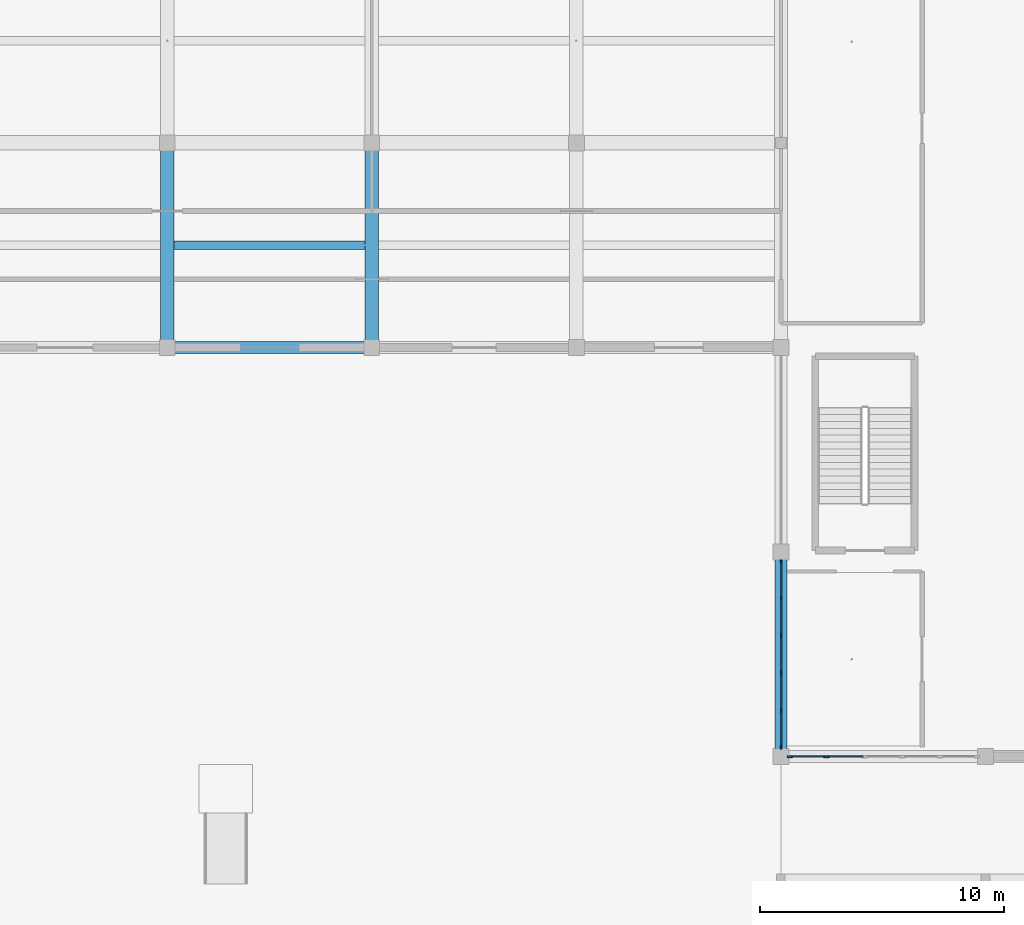
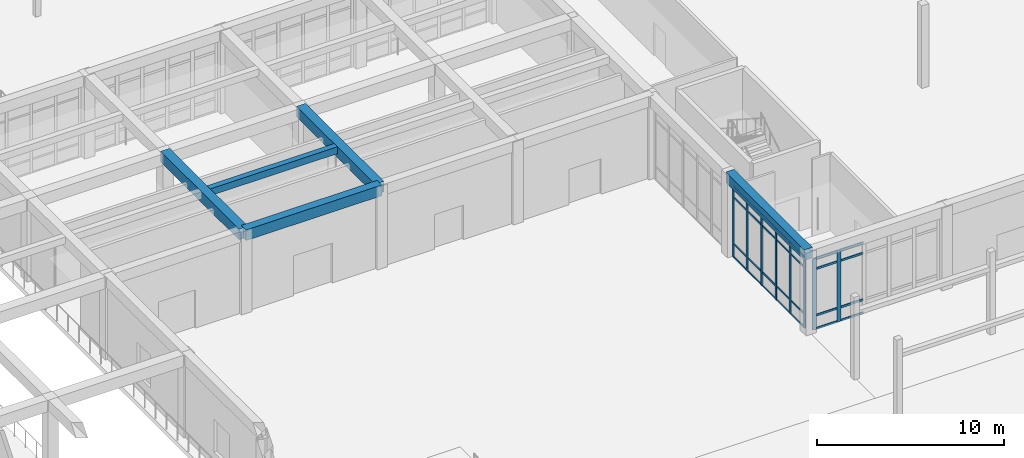
# One storey, part 10 of 167: 36 members, 5 beams, 2 elements without a shape of their own.
"""IFC4 building model written with IfcOpenShell, lengths in metres."""

from ifc_helpers import new_model, si_unit, direction, frame, origin, origin_2d, place, context, subcontext, project, spatial, rectangle, extrude, material, material_profile, profile_set, type_object, element, aggregate, save


model = new_model("IFC4")

# Units and contexts
model_context = context("Model", 3, precision=1e-05, world=origin(), true_north=direction((0.0, 1.0)))
body_context = subcontext(model_context, "Body", "Model", "MODEL_VIEW")
ifc_project = project(units=[si_unit("LENGTHUNIT", "METRE"), si_unit("AREAUNIT", "SQUARE_METRE"), si_unit("VOLUMEUNIT", "CUBIC_METRE"), si_unit("PLANEANGLEUNIT", "RADIAN"), si_unit("MASSUNIT", "GRAM", prefix="KILO")], contexts=[model_context])

# Site, building, storey
site_placement = place(None, origin())
site = spatial("IfcSite", under=ifc_project, at=site_placement, CompositionType="ELEMENT")
building_placement = place(site_placement, origin())
building = spatial("IfcBuilding", under=site, at=building_placement, Name="Varncliffe General Hospital", CompositionType="ELEMENT")
storey_placement = place(building_placement, origin())
storey = spatial("IfcBuildingStorey", under=building, at=storey_placement, Name="L00", CompositionType="ELEMENT", Elevation=0.0)

# Beams
ifc_material_1 = material(Name="Concrete C35/45 (CSA A23.1 35 MPa)", Category="concrete")
ifc_material_profile_1 = material_profile(ifc_material_1, rectangle(XDim=0.550048828125, YDim=0.699951171875, at=origin_2d()), Name="RC 550x700")
ifc_profile_set_1 = profile_set([ifc_material_profile_1], Name="Concrete C35/45 (CSA A23.1 35 MPa)")
beam_type_1 = type_object("IfcBeamType", Name="Beam B35 (Int RC 550x700)", PredefinedType="BEAM", material=ifc_profile_set_1)
for number, where, z_axis, x_axis, name in (
    (1, (33.60009765625, 24.0, 5.050048828125), (0.0, 1.0, 0.0), (-1.0, 0.0, 0.0), "L00 Primary Beam B35-325"),
    (2, (42.0, 24.0, 5.050048828125), (0.0, 1.0, 0.0), (-1.0, 0.0, 0.0), "L00 Primary Beam B35-334"),
):
    element("IfcBeam", number, at=place(storey_placement, frame(where, z_axis=z_axis, x_axis=x_axis)), inside=storey, type_object=beam_type_1, Name=name, PredefinedType="BEAM", context=body_context, shape_type="SweptSolid", body=[
        extrude(rectangle(XDim=0.550048828125, YDim=0.699951171875, at=origin_2d()), origin(), (0.0, 0.0, 1.0), 8.39990234375),
    ])

# Curtain wall, members
ifc_material_2 = material(Name="Triple low-E argon insulated vision glazing", Category="glass")
curtain_wall_type_1 = type_object("IfcCurtainWallType", Name="Unitised Glazed Curtain Wall CW15 (7674x4640)", PredefinedType="USERDEFINED", material=ifc_material_2)
curtain_wall_1_placement = place(storey_placement, origin())
curtain_wall_1 = element("IfcCurtainWall", 3, at=curtain_wall_1_placement, inside=storey, type_object=curtain_wall_type_1, Name="L00 Glazed Curtain Wall CW15-10", ObjectType="GLAZED CURTAIN WALL", PredefinedType="USERDEFINED")
ifc_material_3 = material(Name="Dark bronze thermally broken aluminium framing", Category="aluminium")
ifc_material_profile_2 = material_profile(ifc_material_3, rectangle(XDim=0.074951171875, YDim=0.179931640625, at=origin_2d()), Name="ALU 75x180")
ifc_profile_set_2 = profile_set([ifc_material_profile_2], Name="Dark bronze thermally broken aluminium framing")
member_type_1 = type_object("IfcMemberType", Name="Curtain Wall Mullion CM44 (ALU 75x180)", PredefinedType="MULLION", material=ifc_profile_set_2)
member_1_placement = place(storey_placement, frame((58.800048828125, 7.6005859375, 0.0), z_axis=(0.0, 0.0, 1.0), x_axis=(-1.0, 0.0, 0.0)))
member_1 = element("IfcMember", 4, at=member_1_placement, type_object=member_type_1, Name="CW15 mullion 1", PredefinedType="MULLION", context=body_context, shape_type="SweptSolid", body=[
    extrude(rectangle(XDim=0.074951171875, YDim=0.179931640625, at=origin_2d()), origin(), (0.0, 0.0, 1.0), 4.639892578125),
])
member_2_placement = place(storey_placement, frame((58.800048828125, 9.097900390625, 0.0), z_axis=(0.0, 0.0, 1.0), x_axis=(-1.0, 0.0, 0.0)))
member_2 = element("IfcMember", 5, at=member_2_placement, type_object=member_type_1, Name="CW15 mullion 2", PredefinedType="MULLION", context=body_context, shape_type="SweptSolid", body=[
    extrude(rectangle(XDim=0.074951171875, YDim=0.179931640625, at=origin_2d()), origin(), (0.0, 0.0, 1.0), 4.639892578125),
])
member_3_placement = place(storey_placement, frame((58.800048828125, 10.632568359375, 0.0), z_axis=(0.0, 0.0, 1.0), x_axis=(-1.0, 0.0, 0.0)))
member_3 = element("IfcMember", 6, at=member_3_placement, type_object=member_type_1, Name="CW15 mullion 3", PredefinedType="MULLION", context=body_context, shape_type="SweptSolid", body=[
    extrude(rectangle(XDim=0.074951171875, YDim=0.179931640625, at=origin_2d()), origin(), (0.0, 0.0, 1.0), 4.639892578125),
])
member_4_placement = place(storey_placement, frame((58.800048828125, 12.16748046875, 0.0), z_axis=(0.0, 0.0, 1.0), x_axis=(-1.0, 0.0, 0.0)))
member_4 = element("IfcMember", 7, at=member_4_placement, type_object=member_type_1, Name="CW15 mullion 4", PredefinedType="MULLION", context=body_context, shape_type="SweptSolid", body=[
    extrude(rectangle(XDim=0.074951171875, YDim=0.179931640625, at=origin_2d()), origin(), (0.0, 0.0, 1.0), 4.639892578125),
])
member_5_placement = place(storey_placement, frame((58.800048828125, 13.7021484375, 0.0), z_axis=(0.0, 0.0, 1.0), x_axis=(-1.0, 0.0, 0.0)))
member_5 = element("IfcMember", 8, at=member_5_placement, type_object=member_type_1, Name="CW15 mullion 5", PredefinedType="MULLION", context=body_context, shape_type="SweptSolid", body=[
    extrude(rectangle(XDim=0.074951171875, YDim=0.179931640625, at=origin_2d()), origin(), (0.0, 0.0, 1.0), 4.639892578125),
])
member_6_placement = place(storey_placement, frame((58.800048828125, 15.199462890625, 0.0), z_axis=(0.0, 0.0, 1.0), x_axis=(-1.0, 0.0, 0.0)))
member_6 = element("IfcMember", 9, at=member_6_placement, type_object=member_type_1, Name="CW15 mullion 6", PredefinedType="MULLION", context=body_context, shape_type="SweptSolid", body=[
    extrude(rectangle(XDim=0.074951171875, YDim=0.179931640625, at=origin_2d()), origin(), (0.0, 0.0, 1.0), 4.639892578125),
])

curtain_wall_type_2 = type_object("IfcCurtainWallType", Name="Unitised Glazed Curtain Wall CW66 (7754x4640)", PredefinedType="USERDEFINED", material=ifc_material_2)
curtain_wall_2_placement = place(storey_placement, origin())
curtain_wall_2 = element("IfcCurtainWall", 10, at=curtain_wall_2_placement, inside=storey, type_object=curtain_wall_type_2, Name="L00 Glazed Curtain Wall CW66-9", ObjectType="GLAZED CURTAIN WALL", PredefinedType="USERDEFINED")
ifc_material_profile_3 = material_profile(ifc_material_3, rectangle(XDim=0.074951171875, YDim=0.219970703125, at=origin_2d()), Name="ALU 75x220")
ifc_profile_set_3 = profile_set([ifc_material_profile_3], Name="Dark bronze thermally broken aluminium framing")
member_type_2 = type_object("IfcMemberType", Name="Curtain Wall Mullion CM74 (ALU 75x220)", PredefinedType="MULLION", material=ifc_profile_set_3)
member_7_placement = place(storey_placement, frame((60.673828125, 7.199951171875, 0.0), z_axis=(0.0, 0.0, 1.0), x_axis=(0.0, -1.0, 0.0)))
member_7 = element("IfcMember", 11, at=member_7_placement, type_object=member_type_2, Name="CW66 mullion 5", PredefinedType="MULLION", context=body_context, shape_type="SweptSolid", body=[
    extrude(rectangle(XDim=0.074951171875, YDim=0.219970703125, at=origin_2d()), origin(), (0.0, 0.0, 1.0), 4.639892578125),
])
member_8_placement = place(storey_placement, frame((59.160400390625, 7.199951171875, 0.0), z_axis=(0.0, 0.0, 1.0), x_axis=(0.0, -1.0, 0.0)))
member_8 = element("IfcMember", 12, at=member_8_placement, type_object=member_type_2, Name="CW66 mullion 6", PredefinedType="MULLION", context=body_context, shape_type="SweptSolid", body=[
    extrude(rectangle(XDim=0.074951171875, YDim=0.219970703125, at=origin_2d()), origin(), (0.0, 0.0, 1.0), 4.639892578125),
])

# Member
ifc_material_profile_4 = material_profile(ifc_material_3, rectangle(XDim=0.06005859375, YDim=0.1201171875, at=origin_2d()), Name="ALU 60x120")
ifc_profile_set_4 = profile_set([ifc_material_profile_4], Name="Dark bronze thermally broken aluminium framing")
member_type_3 = type_object("IfcMemberType", Name="Curtain Wall Transom CT14 (ALU 60x120)", PredefinedType="USERDEFINED", material=ifc_profile_set_4)
member_9_placement = place(storey_placement, frame((58.800048828125, 7.637939453125, 0.030029296875), z_axis=(0.0, 1.0, 0.0), x_axis=(-1.0, 0.0, 0.0)))
member_9 = element("IfcMember", 13, at=member_9_placement, type_object=member_type_3, Name="CW15 transom 1.1", ObjectType="TRANSOM", PredefinedType="USERDEFINED", context=body_context, shape_type="SweptSolid", body=[
    extrude(rectangle(XDim=0.06005859375, YDim=0.1201171875, at=origin_2d()), origin(), (0.0, 0.0, 1.0), 1.42236328125),
])

member_10_placement = place(storey_placement, frame((58.800048828125, 7.637939453125, 0.89990234375), z_axis=(0.0, 1.0, 0.0), x_axis=(-1.0, 0.0, 0.0)))
member_10 = element("IfcMember", 14, at=member_10_placement, type_object=member_type_3, Name="CW15 transom 1.2", ObjectType="TRANSOM", PredefinedType="USERDEFINED", context=body_context, shape_type="SweptSolid", body=[
    extrude(rectangle(XDim=0.06005859375, YDim=0.1201171875, at=origin_2d()), origin(), (0.0, 0.0, 1.0), 1.42236328125),
])

member_11_placement = place(storey_placement, frame((58.800048828125, 7.637939453125, 3.93994140625), z_axis=(0.0, 1.0, 0.0), x_axis=(-1.0, 0.0, 0.0)))
member_11 = element("IfcMember", 15, at=member_11_placement, type_object=member_type_3, Name="CW15 transom 1.3", ObjectType="TRANSOM", PredefinedType="USERDEFINED", context=body_context, shape_type="SweptSolid", body=[
    extrude(rectangle(XDim=0.06005859375, YDim=0.1201171875, at=origin_2d()), origin(), (0.0, 0.0, 1.0), 1.42236328125),
])

member_12_placement = place(storey_placement, frame((58.800048828125, 7.637939453125, 4.610107421875), z_axis=(0.0, 1.0, 0.0), x_axis=(-1.0, 0.0, 0.0)))
member_12 = element("IfcMember", 16, at=member_12_placement, type_object=member_type_3, Name="CW15 transom 1.4", ObjectType="TRANSOM", PredefinedType="USERDEFINED", context=body_context, shape_type="SweptSolid", body=[
    extrude(rectangle(XDim=0.06005859375, YDim=0.1201171875, at=origin_2d()), origin(), (0.0, 0.0, 1.0), 1.42236328125),
])

member_13_placement = place(storey_placement, frame((58.800048828125, 9.13525390625, 0.030029296875), z_axis=(0.0, 1.0, 0.0), x_axis=(-1.0, 0.0, 0.0)))
member_13 = element("IfcMember", 17, at=member_13_placement, type_object=member_type_3, Name="CW15 transom 2.1", ObjectType="TRANSOM", PredefinedType="USERDEFINED", context=body_context, shape_type="SweptSolid", body=[
    extrude(rectangle(XDim=0.06005859375, YDim=0.1201171875, at=origin_2d()), origin(), (0.0, 0.0, 1.0), 1.4599609375),
])

member_14_placement = place(storey_placement, frame((58.800048828125, 9.13525390625, 0.89990234375), z_axis=(0.0, 1.0, 0.0), x_axis=(-1.0, 0.0, 0.0)))
member_14 = element("IfcMember", 18, at=member_14_placement, type_object=member_type_3, Name="CW15 transom 2.2", ObjectType="TRANSOM", PredefinedType="USERDEFINED", context=body_context, shape_type="SweptSolid", body=[
    extrude(rectangle(XDim=0.06005859375, YDim=0.1201171875, at=origin_2d()), origin(), (0.0, 0.0, 1.0), 1.4599609375),
])

member_15_placement = place(storey_placement, frame((58.800048828125, 9.13525390625, 3.93994140625), z_axis=(0.0, 1.0, 0.0), x_axis=(-1.0, 0.0, 0.0)))
member_15 = element("IfcMember", 19, at=member_15_placement, type_object=member_type_3, Name="CW15 transom 2.3", ObjectType="TRANSOM", PredefinedType="USERDEFINED", context=body_context, shape_type="SweptSolid", body=[
    extrude(rectangle(XDim=0.06005859375, YDim=0.1201171875, at=origin_2d()), origin(), (0.0, 0.0, 1.0), 1.4599609375),
])

member_16_placement = place(storey_placement, frame((58.800048828125, 9.13525390625, 4.610107421875), z_axis=(0.0, 1.0, 0.0), x_axis=(-1.0, 0.0, 0.0)))
member_16 = element("IfcMember", 20, at=member_16_placement, type_object=member_type_3, Name="CW15 transom 2.4", ObjectType="TRANSOM", PredefinedType="USERDEFINED", context=body_context, shape_type="SweptSolid", body=[
    extrude(rectangle(XDim=0.06005859375, YDim=0.1201171875, at=origin_2d()), origin(), (0.0, 0.0, 1.0), 1.4599609375),
])

member_17_placement = place(storey_placement, frame((58.800048828125, 10.670166015625, 0.030029296875), z_axis=(0.0, 1.0, 0.0), x_axis=(-1.0, 0.0, 0.0)))
member_17 = element("IfcMember", 21, at=member_17_placement, type_object=member_type_3, Name="CW15 transom 3.1", ObjectType="TRANSOM", PredefinedType="USERDEFINED", context=body_context, shape_type="SweptSolid", body=[
    extrude(rectangle(XDim=0.06005859375, YDim=0.1201171875, at=origin_2d()), origin(), (0.0, 0.0, 1.0), 1.459716796875),
])

member_18_placement = place(storey_placement, frame((58.800048828125, 10.670166015625, 0.89990234375), z_axis=(0.0, 1.0, 0.0), x_axis=(-1.0, 0.0, 0.0)))
member_18 = element("IfcMember", 22, at=member_18_placement, type_object=member_type_3, Name="CW15 transom 3.2", ObjectType="TRANSOM", PredefinedType="USERDEFINED", context=body_context, shape_type="SweptSolid", body=[
    extrude(rectangle(XDim=0.06005859375, YDim=0.1201171875, at=origin_2d()), origin(), (0.0, 0.0, 1.0), 1.459716796875),
])

member_19_placement = place(storey_placement, frame((58.800048828125, 10.670166015625, 3.93994140625), z_axis=(0.0, 1.0, 0.0), x_axis=(-1.0, 0.0, 0.0)))
member_19 = element("IfcMember", 23, at=member_19_placement, type_object=member_type_3, Name="CW15 transom 3.3", ObjectType="TRANSOM", PredefinedType="USERDEFINED", context=body_context, shape_type="SweptSolid", body=[
    extrude(rectangle(XDim=0.06005859375, YDim=0.1201171875, at=origin_2d()), origin(), (0.0, 0.0, 1.0), 1.459716796875),
])

member_20_placement = place(storey_placement, frame((58.800048828125, 10.670166015625, 4.610107421875), z_axis=(0.0, 1.0, 0.0), x_axis=(-1.0, 0.0, 0.0)))
member_20 = element("IfcMember", 24, at=member_20_placement, type_object=member_type_3, Name="CW15 transom 3.4", ObjectType="TRANSOM", PredefinedType="USERDEFINED", context=body_context, shape_type="SweptSolid", body=[
    extrude(rectangle(XDim=0.06005859375, YDim=0.1201171875, at=origin_2d()), origin(), (0.0, 0.0, 1.0), 1.459716796875),
])

member_21_placement = place(storey_placement, frame((58.800048828125, 12.204833984375, 0.030029296875), z_axis=(0.0, 1.0, 0.0), x_axis=(-1.0, 0.0, 0.0)))
member_21 = element("IfcMember", 25, at=member_21_placement, type_object=member_type_3, Name="CW15 transom 4.1", ObjectType="TRANSOM", PredefinedType="USERDEFINED", context=body_context, shape_type="SweptSolid", body=[
    extrude(rectangle(XDim=0.06005859375, YDim=0.1201171875, at=origin_2d()), origin(), (0.0, 0.0, 1.0), 1.4599609375),
])

member_22_placement = place(storey_placement, frame((58.800048828125, 12.204833984375, 0.89990234375), z_axis=(0.0, 1.0, 0.0), x_axis=(-1.0, 0.0, 0.0)))
member_22 = element("IfcMember", 26, at=member_22_placement, type_object=member_type_3, Name="CW15 transom 4.2", ObjectType="TRANSOM", PredefinedType="USERDEFINED", context=body_context, shape_type="SweptSolid", body=[
    extrude(rectangle(XDim=0.06005859375, YDim=0.1201171875, at=origin_2d()), origin(), (0.0, 0.0, 1.0), 1.4599609375),
])

member_23_placement = place(storey_placement, frame((58.800048828125, 12.204833984375, 3.93994140625), z_axis=(0.0, 1.0, 0.0), x_axis=(-1.0, 0.0, 0.0)))
member_23 = element("IfcMember", 27, at=member_23_placement, type_object=member_type_3, Name="CW15 transom 4.3", ObjectType="TRANSOM", PredefinedType="USERDEFINED", context=body_context, shape_type="SweptSolid", body=[
    extrude(rectangle(XDim=0.06005859375, YDim=0.1201171875, at=origin_2d()), origin(), (0.0, 0.0, 1.0), 1.4599609375),
])

member_24_placement = place(storey_placement, frame((58.800048828125, 12.204833984375, 4.610107421875), z_axis=(0.0, 1.0, 0.0), x_axis=(-1.0, 0.0, 0.0)))
member_24 = element("IfcMember", 28, at=member_24_placement, type_object=member_type_3, Name="CW15 transom 4.4", ObjectType="TRANSOM", PredefinedType="USERDEFINED", context=body_context, shape_type="SweptSolid", body=[
    extrude(rectangle(XDim=0.06005859375, YDim=0.1201171875, at=origin_2d()), origin(), (0.0, 0.0, 1.0), 1.4599609375),
])

member_25_placement = place(storey_placement, frame((58.800048828125, 13.73974609375, 0.030029296875), z_axis=(0.0, 1.0, 0.0), x_axis=(-1.0, 0.0, 0.0)))
member_25 = element("IfcMember", 29, at=member_25_placement, type_object=member_type_3, Name="CW15 transom 5.1", ObjectType="TRANSOM", PredefinedType="USERDEFINED", context=body_context, shape_type="SweptSolid", body=[
    extrude(rectangle(XDim=0.06005859375, YDim=0.1201171875, at=origin_2d()), origin(), (0.0, 0.0, 1.0), 1.42236328125),
])

member_26_placement = place(storey_placement, frame((58.800048828125, 13.73974609375, 0.89990234375), z_axis=(0.0, 1.0, 0.0), x_axis=(-1.0, 0.0, 0.0)))
member_26 = element("IfcMember", 30, at=member_26_placement, type_object=member_type_3, Name="CW15 transom 5.2", ObjectType="TRANSOM", PredefinedType="USERDEFINED", context=body_context, shape_type="SweptSolid", body=[
    extrude(rectangle(XDim=0.06005859375, YDim=0.1201171875, at=origin_2d()), origin(), (0.0, 0.0, 1.0), 1.42236328125),
])

member_27_placement = place(storey_placement, frame((58.800048828125, 13.73974609375, 3.93994140625), z_axis=(0.0, 1.0, 0.0), x_axis=(-1.0, 0.0, 0.0)))
member_27 = element("IfcMember", 31, at=member_27_placement, type_object=member_type_3, Name="CW15 transom 5.3", ObjectType="TRANSOM", PredefinedType="USERDEFINED", context=body_context, shape_type="SweptSolid", body=[
    extrude(rectangle(XDim=0.06005859375, YDim=0.1201171875, at=origin_2d()), origin(), (0.0, 0.0, 1.0), 1.42236328125),
])

member_28_placement = place(storey_placement, frame((58.800048828125, 13.73974609375, 4.610107421875), z_axis=(0.0, 1.0, 0.0), x_axis=(-1.0, 0.0, 0.0)))
member_28 = element("IfcMember", 32, at=member_28_placement, type_object=member_type_3, Name="CW15 transom 5.4", ObjectType="TRANSOM", PredefinedType="USERDEFINED", context=body_context, shape_type="SweptSolid", body=[
    extrude(rectangle(XDim=0.06005859375, YDim=0.1201171875, at=origin_2d()), origin(), (0.0, 0.0, 1.0), 1.42236328125),
])

aggregate(curtain_wall_1, [member_1, member_2, member_3, member_4, member_5, member_6, member_9, member_10, member_11, member_12, member_13, member_14, member_15, member_16, member_17, member_18, member_19, member_20, member_21, member_22, member_23, member_24, member_25, member_26, member_27, member_28])

ifc_material_profile_5 = material_profile(ifc_material_3, rectangle(XDim=0.06494140625, YDim=0.139892578125, at=origin_2d()), Name="ALU 65x140")
ifc_profile_set_5 = profile_set([ifc_material_profile_5], Name="Dark bronze thermally broken aluminium framing")
member_type_4 = type_object("IfcMemberType", Name="Curtain Wall Transom CT69 (ALU 65x140)", PredefinedType="USERDEFINED", material=ifc_profile_set_5)
member_29_placement = place(storey_placement, frame((62.18701171875, 7.199951171875, 0.032470703125), z_axis=(-1.0, 0.0, 0.0), x_axis=(0.0, -1.0, 0.0)))
member_29 = element("IfcMember", 33, at=member_29_placement, type_object=member_type_4, Name="CW66 transom 4.1", ObjectType="TRANSOM", PredefinedType="USERDEFINED", context=body_context, shape_type="SweptSolid", body=[
    extrude(rectangle(XDim=0.06494140625, YDim=0.139892578125, at=origin_2d()), origin(), (0.0, 0.0, 1.0), 1.475830078125),
])

member_30_placement = place(storey_placement, frame((62.18701171875, 7.199951171875, 0.89990234375), z_axis=(-1.0, 0.0, 0.0), x_axis=(0.0, -1.0, 0.0)))
member_30 = element("IfcMember", 34, at=member_30_placement, type_object=member_type_4, Name="CW66 transom 4.2", ObjectType="TRANSOM", PredefinedType="USERDEFINED", context=body_context, shape_type="SweptSolid", body=[
    extrude(rectangle(XDim=0.06494140625, YDim=0.139892578125, at=origin_2d()), origin(), (0.0, 0.0, 1.0), 1.475830078125),
])

member_31_placement = place(storey_placement, frame((62.18701171875, 7.199951171875, 3.93994140625), z_axis=(-1.0, 0.0, 0.0), x_axis=(0.0, -1.0, 0.0)))
member_31 = element("IfcMember", 35, at=member_31_placement, type_object=member_type_4, Name="CW66 transom 4.3", ObjectType="TRANSOM", PredefinedType="USERDEFINED", context=body_context, shape_type="SweptSolid", body=[
    extrude(rectangle(XDim=0.06494140625, YDim=0.139892578125, at=origin_2d()), origin(), (0.0, 0.0, 1.0), 1.475830078125),
])

member_32_placement = place(storey_placement, frame((62.18701171875, 7.199951171875, 4.607421875), z_axis=(-1.0, 0.0, 0.0), x_axis=(0.0, -1.0, 0.0)))
member_32 = element("IfcMember", 36, at=member_32_placement, type_object=member_type_4, Name="CW66 transom 4.4", ObjectType="TRANSOM", PredefinedType="USERDEFINED", context=body_context, shape_type="SweptSolid", body=[
    extrude(rectangle(XDim=0.06494140625, YDim=0.139892578125, at=origin_2d()), origin(), (0.0, 0.0, 1.0), 1.475830078125),
])

member_33_placement = place(storey_placement, frame((60.63623046875, 7.199951171875, 0.032470703125), z_axis=(-1.0, 0.0, 0.0), x_axis=(0.0, -1.0, 0.0)))
member_33 = element("IfcMember", 37, at=member_33_placement, type_object=member_type_4, Name="CW66 transom 5.1", ObjectType="TRANSOM", PredefinedType="USERDEFINED", context=body_context, shape_type="SweptSolid", body=[
    extrude(rectangle(XDim=0.06494140625, YDim=0.139892578125, at=origin_2d()), origin(), (0.0, 0.0, 1.0), 1.438232421875),
])

member_34_placement = place(storey_placement, frame((60.63623046875, 7.199951171875, 0.89990234375), z_axis=(-1.0, 0.0, 0.0), x_axis=(0.0, -1.0, 0.0)))
member_34 = element("IfcMember", 38, at=member_34_placement, type_object=member_type_4, Name="CW66 transom 5.2", ObjectType="TRANSOM", PredefinedType="USERDEFINED", context=body_context, shape_type="SweptSolid", body=[
    extrude(rectangle(XDim=0.06494140625, YDim=0.139892578125, at=origin_2d()), origin(), (0.0, 0.0, 1.0), 1.438232421875),
])

member_35_placement = place(storey_placement, frame((60.63623046875, 7.199951171875, 3.93994140625), z_axis=(-1.0, 0.0, 0.0), x_axis=(0.0, -1.0, 0.0)))
member_35 = element("IfcMember", 39, at=member_35_placement, type_object=member_type_4, Name="CW66 transom 5.3", ObjectType="TRANSOM", PredefinedType="USERDEFINED", context=body_context, shape_type="SweptSolid", body=[
    extrude(rectangle(XDim=0.06494140625, YDim=0.139892578125, at=origin_2d()), origin(), (0.0, 0.0, 1.0), 1.438232421875),
])

member_36_placement = place(storey_placement, frame((60.63623046875, 7.199951171875, 4.607421875), z_axis=(-1.0, 0.0, 0.0), x_axis=(0.0, -1.0, 0.0)))
member_36 = element("IfcMember", 40, at=member_36_placement, type_object=member_type_4, Name="CW66 transom 5.4", ObjectType="TRANSOM", PredefinedType="USERDEFINED", context=body_context, shape_type="SweptSolid", body=[
    extrude(rectangle(XDim=0.06494140625, YDim=0.139892578125, at=origin_2d()), origin(), (0.0, 0.0, 1.0), 1.438232421875),
])

aggregate(curtain_wall_2, [member_7, member_8, member_29, member_30, member_31, member_32, member_33, member_34, member_35, member_36])

# Beams
ifc_material_profile_6 = material_profile(ifc_material_1, rectangle(XDim=0.35009765625, YDim=0.449951171875, at=origin_2d()), Name="RC 350x450")
ifc_profile_set_6 = profile_set([ifc_material_profile_6], Name="Concrete C35/45 (CSA A23.1 35 MPa)")
beam_type_2 = type_object("IfcBeamType", Name="Joist J55 (Int RC 350x450)", PredefinedType="JOIST", material=ifc_profile_set_6)
beam_1_placement = place(storey_placement, frame((33.873046875, 28.199951171875, 5.175048828125), z_axis=(1.0, 0.0, 0.0), x_axis=(0.0, 1.0, 0.0)))
element("IfcBeam", 41, at=beam_1_placement, inside=storey, type_object=beam_type_2, Name="L00 Secondary Floor Rib J55-18", PredefinedType="JOIST", context=body_context, shape_type="SweptSolid", body=[
    extrude(rectangle(XDim=0.35009765625, YDim=0.449951171875, at=origin_2d()), origin(), (0.0, 0.0, 1.0), 7.85400390625),
])
ifc_material_profile_7 = material_profile(ifc_material_1, rectangle(XDim=0.5, YDim=0.699951171875, at=origin_2d()), Name="RC 500x700")
ifc_profile_set_7 = profile_set([ifc_material_profile_7], Name="Concrete C35/45 (CSA A23.1 35 MPa)")
beam_type_3 = type_object("IfcBeamType", Name="Spandrel SP19 (Ext RC 500x700)", PredefinedType="SPANDREL", material=ifc_profile_set_7)
beam_2_placement = place(storey_placement, frame((33.60009765625, 24.0, 5.050048828125), z_axis=(1.0, 0.0, 0.0), x_axis=(0.0, 1.0, 0.0)))
element("IfcBeam", 42, at=beam_2_placement, inside=storey, type_object=beam_type_3, Name="L00 Spandrel Beam SP19-30", PredefinedType="SPANDREL", context=body_context, shape_type="SweptSolid", body=[
    extrude(rectangle(XDim=0.5, YDim=0.699951171875, at=origin_2d()), origin(), (0.0, 0.0, 1.0), 8.39990234375),
])
beam_3_placement = place(storey_placement, frame((58.800048828125, 7.199951171875, 5.050048828125), z_axis=(0.0, 1.0, 0.0), x_axis=(-1.0, 0.0, 0.0)))
element("IfcBeam", 43, at=beam_3_placement, inside=storey, type_object=beam_type_3, Name="L00 Spandrel Beam SP19-352", PredefinedType="SPANDREL", context=body_context, shape_type="SweptSolid", body=[
    extrude(rectangle(XDim=0.5, YDim=0.699951171875, at=origin_2d()), origin(), (0.0, 0.0, 1.0), 8.400146484375),
])

save(model, "model.ifc")
